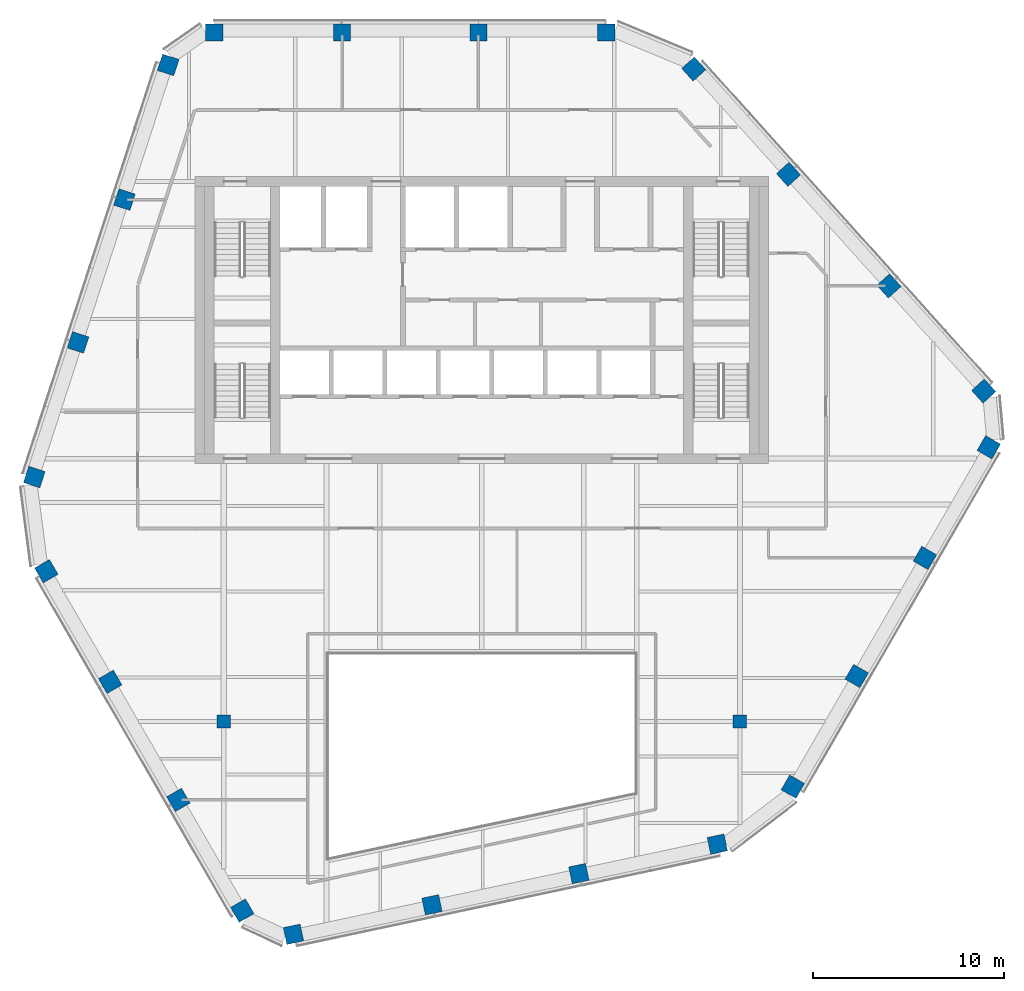
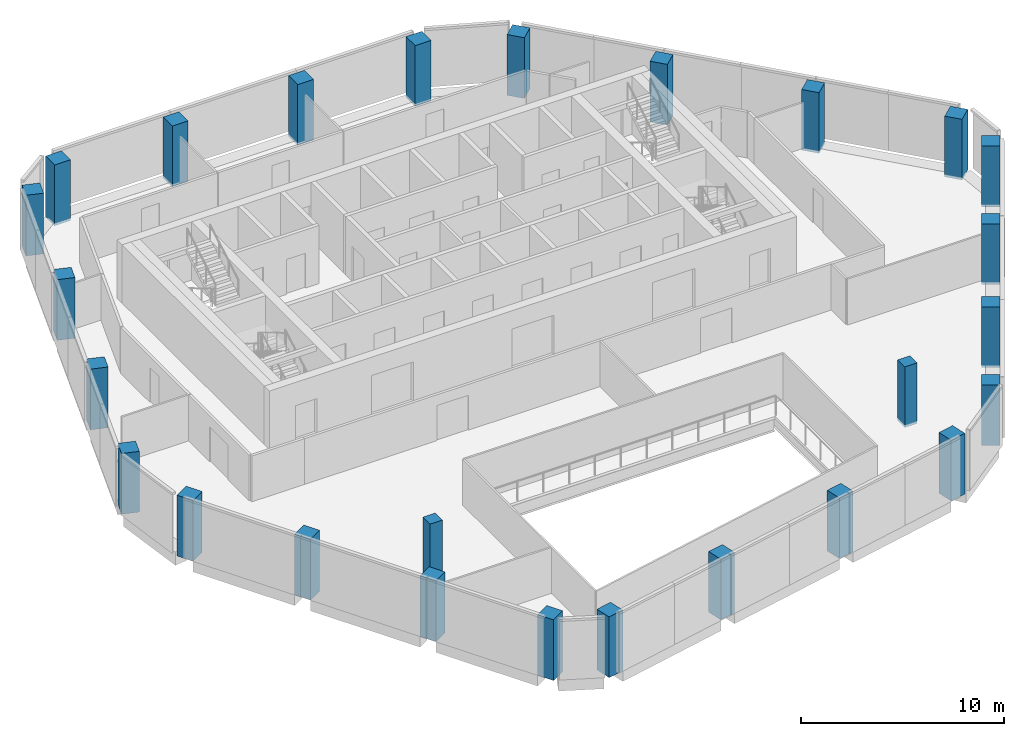
# One storey, part 1 of 15: 26 columns.
"""IFC4 building model written with IfcOpenShell, lengths in metres."""

import ifcopenshell
import ifcopenshell.guid

model = None  # the IFC model being written
_history = None  # IfcOwnerHistory: only IFC2X3 demands one
_inside = {}  # id of a spatial element -> (the spatial element, [elements in it])
_under = {}  # id of a project, library or spatial element -> (it, [spatial elements below it])
_declared = {}  # id of a project -> (the project, [libraries it declares])
_typed = {}  # id of a type object -> (the type object, [elements of that type])
_made_of = {}  # id of a material, layer set ... -> (it, [elements and type objects made of it])


def new_model(schema):
    """Start an empty IFC model of exactly this schema.

    Asked for "IFC4X3", IfcOpenShell would pick the latest addendum, in which some entities
    have other attributes; the version numbers below select the first issue.
    IFC2X3 requires an IfcOwnerHistory on every rooted entity: one is made here for all.
    """
    global model, _history
    if schema == "IFC4X3":
        model = ifcopenshell.file(schema_version=(4, 3, 0, 0))
    else:
        model = ifcopenshell.file(schema=schema)
    _inside.clear()
    _under.clear()
    _declared.clear()
    _typed.clear()
    _made_of.clear()
    _history = None
    if model.schema == "IFC2X3":
        org = make("IfcOrganization", Name="unknown")
        user = make(
            "IfcPersonAndOrganization",
            ThePerson=make("IfcPerson", FamilyName="unknown"),
            TheOrganization=org,
        )
        app = make(
            "IfcApplication",
            ApplicationDeveloper=org,
            Version="unknown",
            ApplicationFullName="unknown",
            ApplicationIdentifier="unknown",
        )
        _history = make(
            "IfcOwnerHistory",
            OwningUser=user,
            OwningApplication=app,
            ChangeAction="ADDED",
            CreationDate=0,
        )
    return model


def make(cls, **values):
    """One entity of the class cls with the attributes given. An attribute that is None is left unset."""
    return model.create_entity(
        cls, **{name: value for name, value in values.items() if value is not None}
    )


def rooted(cls, **values):
    """An entity with a GlobalId (a new one), such as an element, a storey or a relation."""
    return make(cls, GlobalId=ifcopenshell.guid.new(), OwnerHistory=_history, **values)


def si_unit(unit_type, name, prefix=None):
    """IfcSIUnit, for example si_unit("LENGTHUNIT", "METRE", prefix="MILLI")."""
    return make("IfcSIUnit", UnitType=unit_type, Prefix=prefix, Name=name)


def assignment(units):
    """IfcUnitAssignment: the units of a project."""
    return None if units is None else make("IfcUnitAssignment", Units=units)


def point(xyz):
    """IfcCartesianPoint."""
    return None if xyz is None else make("IfcCartesianPoint", Coordinates=xyz)


def direction(xyz):
    """IfcDirection."""
    return None if xyz is None else make("IfcDirection", DirectionRatios=xyz)


def frame(location, z_axis=None, x_axis=None):
    """IfcAxis2Placement3D, a coordinate frame: its origin and axes. An axis left out is left unset."""
    return make(
        "IfcAxis2Placement3D",
        Location=point(location),
        Axis=direction(z_axis),
        RefDirection=direction(x_axis),
    )


def frame_2d(location, x_axis=None):
    """IfcAxis2Placement2D, a coordinate frame in the plane: its origin and x axis."""
    return make(
        "IfcAxis2Placement2D", Location=point(location), RefDirection=direction(x_axis)
    )


def origin():
    """The frame at (0, 0, 0) with its axes left unset."""
    return frame((0.0, 0.0, 0.0))


def origin_2d():
    """The frame at (0, 0) in the plane with its x axis left unset."""
    return frame_2d((0.0, 0.0))


def place(relative_to, where):
    """IfcLocalPlacement: puts the frame where relative to a parent placement (None: the world)."""
    return make(
        "IfcLocalPlacement", PlacementRelTo=relative_to, RelativePlacement=where
    )


def context(
    kind, dimensions, precision=None, world=None, true_north=None, identifier=None
):
    """IfcGeometricRepresentationContext, for example the 3D "Model" context."""
    return make(
        "IfcGeometricRepresentationContext",
        ContextIdentifier=identifier,
        ContextType=kind,
        CoordinateSpaceDimension=dimensions,
        Precision=precision,
        WorldCoordinateSystem=world,
        TrueNorth=true_north,
    )


def subcontext(parent, identifier, kind, view, scale=None):
    """IfcGeometricRepresentationSubContext, for example "Body" below "Model"."""
    return make(
        "IfcGeometricRepresentationSubContext",
        ContextIdentifier=identifier,
        ContextType=kind,
        ParentContext=parent,
        TargetScale=scale,
        TargetView=view,
    )


def project(units=None, contexts=None):
    """IfcProject with its units and contexts."""
    return rooted(
        "IfcProject",
        Name="project",
        RepresentationContexts=contexts,
        UnitsInContext=assignment(units),
    )


def spatial(cls, under=None, at=None, **own):
    """A site, building, storey or space (cls), placed at a placement, below another one or the project."""
    s = rooted(cls, ObjectPlacement=at, **own)
    if under is not None:
        _under.setdefault(under.id(), (under, []))[1].append(s)
    return s


def profile(cls, at=None, kind="AREA", **sizes):
    """A parametric profile (cls). Its sizes go by their IFC names, for example OverallWidth=200.0."""
    return make(cls, ProfileType=kind, Position=at, **sizes)


def rectangle(**sizes):
    """IfcRectangleProfileDef."""
    return profile("IfcRectangleProfileDef", **sizes)


def extrude(swept, where, along, depth):
    """IfcExtrudedAreaSolid: the profile swept, set in the frame where, extruded along a direction by depth."""
    return make(
        "IfcExtrudedAreaSolid",
        SweptArea=swept,
        Position=where,
        ExtrudedDirection=direction(along),
        Depth=depth,
    )


def shape(context_of_items, identifier, shape_type, items):
    """IfcShapeRepresentation: the items that make up one representation, for example the "Body"."""
    return make(
        "IfcShapeRepresentation",
        ContextOfItems=context_of_items,
        RepresentationIdentifier=identifier,
        RepresentationType=shape_type,
        Items=items,
    )


def material(Name=None, Category=None):
    """IfcMaterial."""
    return make("IfcMaterial", Name=Name, Category=Category)


def material_profile(
    of_material, cross_section, Name=None, Category=None, Priority=None
):
    """IfcMaterialProfile: a cross section and its material."""
    return make(
        "IfcMaterialProfile",
        Name=Name,
        Material=of_material,
        Profile=cross_section,
        Priority=Priority,
        Category=Category,
    )


def profile_set(profiles, Name=None, composite=None):
    """IfcMaterialProfileSet."""
    return make(
        "IfcMaterialProfileSet",
        Name=Name,
        MaterialProfiles=profiles,
        CompositeProfile=composite,
    )


def made_of(thing, what):
    """Note that an element or type object is made of a material, layer set ...; save() writes the relation."""
    if what is not None:
        _made_of.setdefault(what.id(), (what, []))[1].append(thing)
    return thing


def type_object(cls, material=None, **own):
    """A type object (cls), such as IfcWallType, which elements share."""
    return made_of(rooted(cls, **own), material)


def element(
    cls,
    number,
    at=None,
    inside=None,
    cuts=None,
    type_object=None,
    material=None,
    context=None,
    identifier="Body",
    shape_type=None,
    held_by="IfcProductDefinitionShape",
    body=None,
    shapes=None,
    **own,
):
    """One element of the class cls, such as IfcWall. Its Tag is "e" and its number.

    at: its placement. inside: the storey or other place that contains it. cuts: it is an
    opening in that element (IfcRelVoidsElement). A single representation is given by context,
    identifier, shape_type and body (its items); several are given by shapes. held_by: the class
    of the entity that holds the representations. save() writes the other relations.
    """
    e = rooted(cls, Tag="e%d" % number, ObjectPlacement=at, **own)
    if body is not None:
        shapes = [shape(context, identifier, shape_type, body)]
    if shapes is not None:
        e.Representation = make(held_by, Representations=shapes)
    if inside is not None:
        _inside.setdefault(inside.id(), (inside, []))[1].append(e)
    if cuts is not None:
        rooted(
            "IfcRelVoidsElement", RelatingBuildingElement=cuts, RelatedOpeningElement=e
        )
    if type_object is not None:
        _typed.setdefault(type_object.id(), (type_object, []))[1].append(e)
    return made_of(e, material)


def aggregate(whole, parts):
    """IfcRelAggregates: a whole, such as a stair, and the parts it consists of."""
    return rooted("IfcRelAggregates", RelatingObject=whole, RelatedObjects=parts)


def save(model, path):
    """Write the relations noted so far, then the file.

    IfcRelAggregates (storeys below a building ...), IfcRelContainedInSpatialStructure (elements
    in a storey), IfcRelDefinesByType, IfcRelAssociatesMaterial and IfcRelDeclares: one each for
    every whole, place, type object, material and project.
    """
    for whole, parts in _under.values():
        aggregate(whole, parts)
    for where, things in _inside.values():
        rooted(
            "IfcRelContainedInSpatialStructure",
            RelatedElements=things,
            RelatingStructure=where,
        )
    for kind, things in _typed.values():
        rooted("IfcRelDefinesByType", RelatedObjects=things, RelatingType=kind)
    for what, things in _made_of.values():
        rooted("IfcRelAssociatesMaterial", RelatedObjects=things, RelatingMaterial=what)
    for by, libraries in _declared.values():
        rooted("IfcRelDeclares", RelatingContext=by, RelatedDefinitions=libraries)
    model.write(path)


model = new_model("IFC4")

# Units and contexts
model_context = context("Model", 3, precision=1e-05, world=origin(), true_north=direction((0.0, 1.0)))
body_context = subcontext(model_context, "Body", "Model", "MODEL_VIEW")
ifc_project = project(units=[si_unit("LENGTHUNIT", "METRE"), si_unit("AREAUNIT", "SQUARE_METRE"), si_unit("VOLUMEUNIT", "CUBIC_METRE"), si_unit("PLANEANGLEUNIT", "RADIAN"), si_unit("MASSUNIT", "GRAM", prefix="KILO")], contexts=[model_context])

# Site, building, storey
site_placement = place(None, origin())
site = spatial("IfcSite", under=ifc_project, at=site_placement, CompositionType="ELEMENT")
building_placement = place(site_placement, origin())
building = spatial("IfcBuilding", under=site, at=building_placement, Name="Isthmus Gate Tower", CompositionType="ELEMENT")
storey_placement = place(building_placement, frame((0.0, 0.0, 282.85009765625)))
storey = spatial("IfcBuildingStorey", under=building, at=storey_placement, Name="L72", CompositionType="ELEMENT", Elevation=282.85009765625)

# Columns
ifc_material_1 = material(Name="Concrete f'c 50 MPa", Category="concrete")
ifc_material_profile_1 = material_profile(ifc_material_1, rectangle(XDim=0.699951171875, YDim=0.699951171875, at=origin_2d()), Name="RC 700X700")
ifc_profile_set_1 = profile_set([ifc_material_profile_1], Name="Concrete f'c 50 MPa")
column_type_1 = type_object("IfcColumnType", Name="RC INTERIOR COLUMN 700 X 700", PredefinedType="COLUMN", material=ifc_profile_set_1)
for number, where, z_axis, x_axis, name in (
    (1, (-13.5, -13.5, -0.150146484375), (0.0, 0.0, 1.0), (1.0, 0.0, 0.0), "str-icol-L72-ICB2"),
    (2, (13.5, -13.5, -0.150146484375), (0.0, 0.0, 1.0), (1.0, 0.0, 0.0), "str-icol-L72-ICD2"),
):
    element("IfcColumn", number, at=place(storey_placement, frame(where, z_axis=z_axis, x_axis=x_axis)), inside=storey, type_object=column_type_1, Name=name, PredefinedType="COLUMN", context=body_context, shape_type="SweptSolid", body=[
        extrude(rectangle(XDim=0.699951171875, YDim=0.699951171875, at=origin_2d()), origin(), (0.0, 0.0, 1.0), 3.650146484375),
    ])
ifc_material_2 = material(Name="Concrete f'c 50 MPa", Category="concrete")
ifc_material_profile_2 = material_profile(ifc_material_2, rectangle(XDim=0.89990234375, YDim=0.89990234375, at=origin_2d()), Name="RC 900X900")
ifc_profile_set_2 = profile_set([ifc_material_profile_2], Name="Concrete f'c 50 MPa")
column_type_2 = type_object("IfcColumnType", Name="RC TUBE COLUMN 900 X 900", PredefinedType="COLUMN", material=ifc_profile_set_2)
for number, where, z_axis, x_axis, name in (
    (3, (6.509521484375, 22.550048828125, -0.150146484375), (0.0, 0.0, 1.0), (-1.0, 0.0, 0.0), "str-tcol-L72-T4N0"),
    (4, (-0.175048828125, 22.550048828125, -0.150146484375), (0.0, 0.0, 1.0), (-1.0, 0.0, 0.0), "str-tcol-L72-T4N1"),
    (5, (-7.3095703125, 22.550048828125, -0.150146484375), (0.0, 0.0, 1.0), (-1.0, 0.0, 0.0), "str-tcol-L72-T4N2"),
    (6, (-13.994140625, 22.550048828125, -0.150146484375), (0.0, 0.0, 1.0), (-1.0, 0.0, 0.0), "str-tcol-L72-T4N3"),
    (7, (-16.408203125, 20.847900390625, -0.150146484375), (0.0, 0.0, 1.0), (-0.309016994375, -0.951056516295, 0.0), "str-tcol-L72-T4NW0"),
    (8, (-18.697021484375, 13.8037109375, -0.150146484375), (0.0, 0.0, 1.0), (-0.309016994375, -0.951056516295, 0.0), "str-tcol-L72-T4NW1"),
    (9, (-21.124755859375, 6.331298828125, -0.150146484375), (0.0, 0.0, 1.0), (-0.309016994375, -0.951056516295, 0.0), "str-tcol-L72-T4NW2"),
    (10, (-23.41357421875, -0.712890625, -0.150146484375), (0.0, 0.0, 1.0), (-0.309016994375, -0.951056516295, 0.0), "str-tcol-L72-T4NW3"),
    (11, (-22.78369140625, -5.6376953125, -0.150146484375), (0.0, 0.0, 1.0), (0.5, -0.866025403784, 0.0), "str-tcol-L72-T4SW0"),
    (12, (-19.44140625, -11.426513671875, -0.150146484375), (0.0, 0.0, 1.0), (0.5, -0.866025403784, 0.0), "str-tcol-L72-T4SW1"),
    (13, (-15.8740234375, -17.605224609375, -0.150146484375), (0.0, 0.0, 1.0), (0.5, -0.866025403784, 0.0), "str-tcol-L72-T4SW2"),
    (14, (-12.53173828125, -23.394287109375, -0.150146484375), (0.0, 0.0, 1.0), (0.5, -0.866025403784, 0.0), "str-tcol-L72-T4SW3"),
    (15, (-9.850830078125, -24.6337890625, -0.150146484375), (0.0, 0.0, 1.0), (0.978147600734, 0.207911690818, 0.0), "str-tcol-L72-T4S0"),
    (16, (-2.605712890625, -23.09375, -0.150146484375), (0.0, 0.0, 1.0), (0.978147600734, 0.207911690818, 0.0), "str-tcol-L72-T4S1"),
    (17, (5.079345703125, -21.460205078125, -0.150146484375), (0.0, 0.0, 1.0), (0.978147600734, 0.207911690818, 0.0), "str-tcol-L72-T4S2"),
    (18, (12.32421875, -19.92041015625, -0.150146484375), (0.0, 0.0, 1.0), (0.978147600734, 0.207911690818, 0.0), "str-tcol-L72-T4S3"),
    (19, (16.274169921875, -16.912353515625, -0.150146484375), (0.0, 0.0, 1.0), (0.5, 0.866025403784, 0.0), "str-tcol-L72-T4SE0"),
    (20, (19.616455078125, -11.123291015625, -0.150146484375), (0.0, 0.0, 1.0), (0.5, 0.866025403784, 0.0), "str-tcol-L72-T4SE1"),
    (21, (23.18359375, -4.944580078125, -0.150146484375), (0.0, 0.0, 1.0), (0.5, 0.866025403784, 0.0), "str-tcol-L72-T4SE2"),
    (22, (26.52587890625, 0.84423828125, -0.150146484375), (0.0, 0.0, 1.0), (0.5, 0.866025403784, 0.0), "str-tcol-L72-T4SE3"),
    (23, (26.2587890625, 3.785888671875, -0.150146484375), (0.0, 0.0, 1.0), (-0.669130606359, 0.743144825477, 0.0), "str-tcol-L72-T4NE0"),
    (24, (21.302734375, 9.290283203125, -0.150146484375), (0.0, 0.0, 1.0), (-0.669130606359, 0.743144825477, 0.0), "str-tcol-L72-T4NE1"),
    (25, (16.04541015625, 15.12890625, -0.150146484375), (0.0, 0.0, 1.0), (-0.669130606359, 0.743144825477, 0.0), "str-tcol-L72-T4NE2"),
    (26, (11.08935546875, 20.63330078125, -0.150146484375), (0.0, 0.0, 1.0), (-0.669130606359, 0.743144825477, 0.0), "str-tcol-L72-T4NE3"),
):
    element("IfcColumn", number, at=place(storey_placement, frame(where, z_axis=z_axis, x_axis=x_axis)), inside=storey, type_object=column_type_2, Name=name, PredefinedType="COLUMN", context=body_context, shape_type="SweptSolid", body=[
        extrude(rectangle(XDim=0.89990234375, YDim=0.89990234375, at=origin_2d()), origin(), (0.0, 0.0, 1.0), 3.650146484375),
    ])

save(model, "model.ifc")
